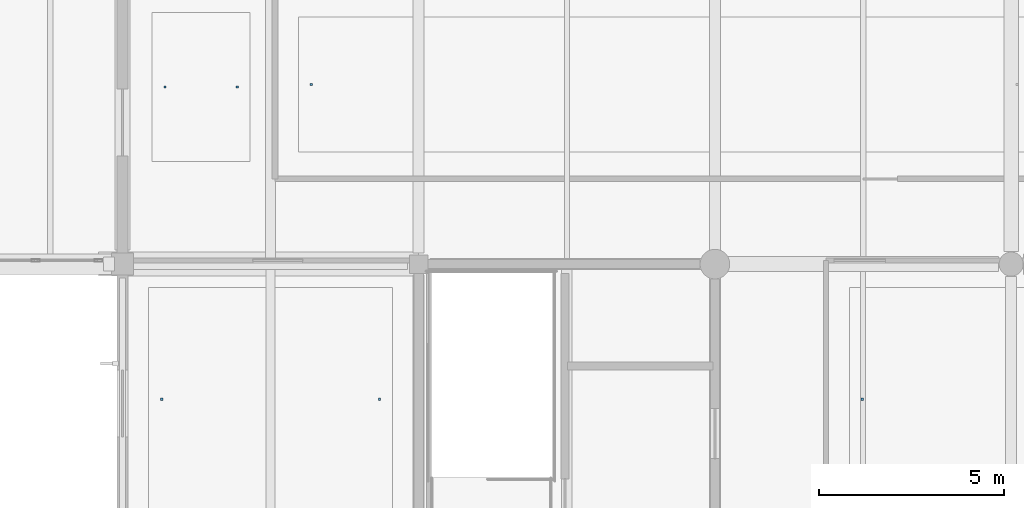
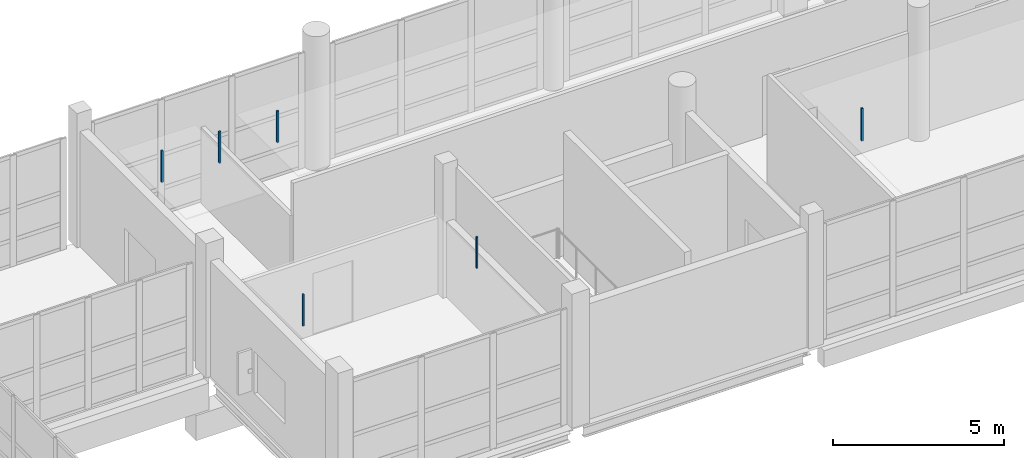
# One storey, part 103 of 141: 6 discrete accessories.
"""IFC4 building model written with IfcOpenShell, lengths in metres."""

from ifc_helpers import new_model, si_unit, direction, frame, origin, origin_2d, place, context, subcontext, project, spatial, rectangle, extrude, material, type_object, element, save


model = new_model("IFC4")

# Units and contexts
model_context = context("Model", 3, precision=1e-05, world=origin(), true_north=direction((0.0, 1.0)))
body_context = subcontext(model_context, "Body", "Model", "MODEL_VIEW")
ifc_project = project(units=[si_unit("LENGTHUNIT", "METRE"), si_unit("AREAUNIT", "SQUARE_METRE"), si_unit("VOLUMEUNIT", "CUBIC_METRE"), si_unit("PLANEANGLEUNIT", "RADIAN"), si_unit("MASSUNIT", "GRAM", prefix="KILO")], contexts=[model_context])

# Site, building, storey
site_placement = place(None, origin())
site = spatial("IfcSite", under=ifc_project, at=site_placement, CompositionType="ELEMENT")
building_placement = place(site_placement, origin())
building = spatial("IfcBuilding", under=site, at=building_placement, Name="Khelvaren Railside Concert Hall", CompositionType="ELEMENT")
storey_placement = place(building_placement, frame((0.0, 0.0, 10.199951171875)))
storey = spatial("IfcBuildingStorey", under=building, at=storey_placement, Name="L02", CompositionType="ELEMENT", Elevation=10.199951171875)

# Discrete accessories
ifc_material = material(Name="Galvanised steel acoustic ceiling hanger rod", Category="steel")
discrete_accessory_type = type_object("IfcDiscreteAccessoryType", Name="BRK62", PredefinedType="BRACKET", material=ifc_material)
for number, where, z_axis, x_axis, name in (
    (1, (65.14990234375, 12.385009765625, 3.43017578125), (0.0, 0.0, 1.0), (1.0, 0.0, 0.0), "Acoustic Ceiling Suspension Bracket 82-1"),
    (2, (67.10009765625, 12.385009765625, 3.43017578125), (0.0, 0.0, 1.0), (1.0, 0.0, 0.0), "Acoustic Ceiling Suspension Bracket 82-2"),
    (3, (69.10009765625, 12.449951171875, 3.43017578125), (0.0, 0.0, 1.0), (1.0, 0.0, 0.0), "Acoustic Ceiling Suspension Bracket 84-1"),
    (4, (65.06005859375, 3.949951171875, 3.43017578125), (0.0, 0.0, 1.0), (1.0, 0.0, 0.0), "Acoustic Ceiling Suspension Bracket 87-1"),
    (5, (70.93994140625, 3.949951171875, 3.43017578125), (0.0, 0.0, 1.0), (1.0, 0.0, 0.0), "Acoustic Ceiling Suspension Bracket 87-2"),
):
    element("IfcDiscreteAccessory", number, at=place(storey_placement, frame(where, z_axis=z_axis, x_axis=x_axis)), inside=storey, type_object=discrete_accessory_type, Name=name, PredefinedType="BRACKET", context=body_context, shape_type="SweptSolid", body=[
        extrude(rectangle(XDim=0.06005859375, YDim=0.06005859375, at=origin_2d()), origin(), (0.0, 0.0, 1.0), 1.1298828125),
    ])
discrete_accessory_placement = place(storey_placement, frame((83.97998046875, 3.949951171875, 3.43017578125), z_axis=(0.0, 0.0, 1.0), x_axis=(1.0, 0.0, 0.0)))
element("IfcDiscreteAccessory", 6, at=discrete_accessory_placement, inside=storey, type_object=discrete_accessory_type, Name="Acoustic Ceiling Suspension Bracket 88-1", PredefinedType="BRACKET", context=body_context, shape_type="SweptSolid", body=[
    extrude(rectangle(XDim=0.06005859375, YDim=0.06005859375, at=origin_2d()), origin(), (0.0, 0.0, 1.0), 1.169921875),
])

save(model, "model.ifc")
